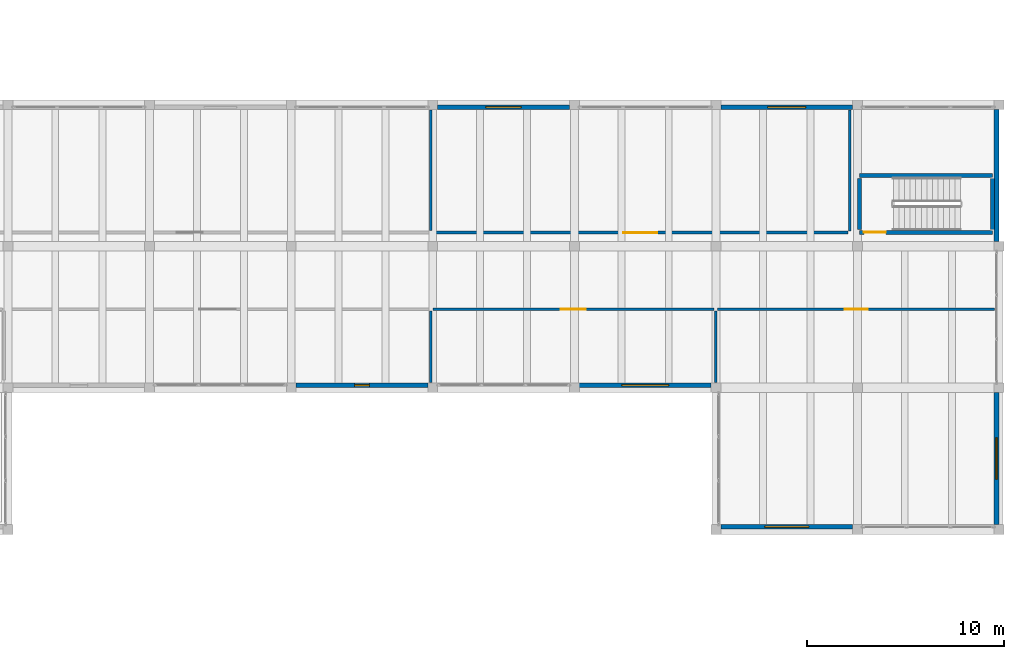
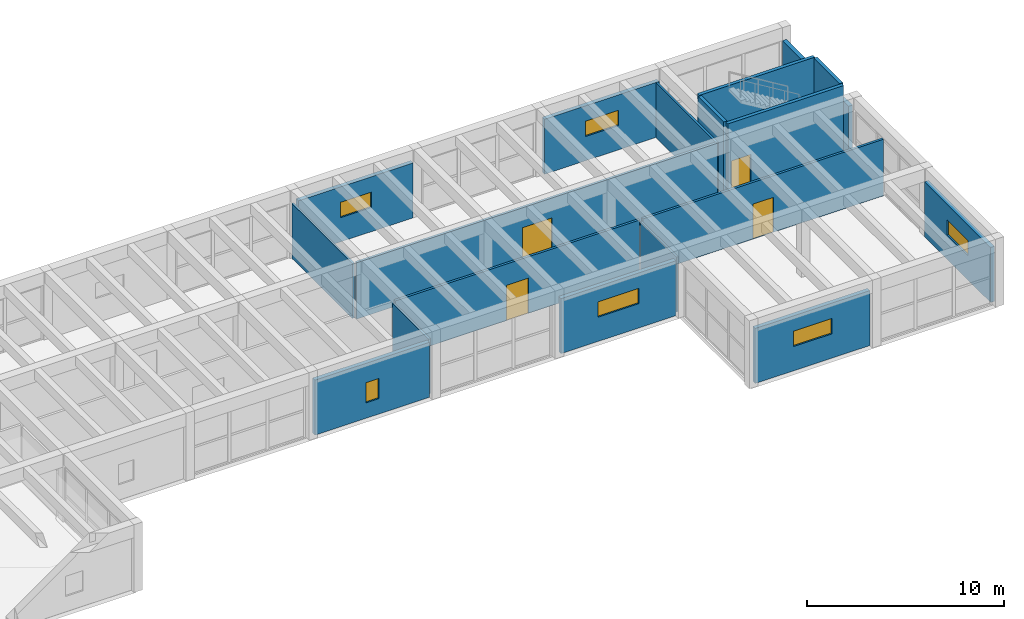
# One storey, part 142 of 153: 18 walls, 6 windows, 4 doors, 10 openings.
"""IFC4 building model written with IfcOpenShell, lengths in metres."""

from ifc_helpers import new_model, si_unit, direction, frame, frame_2d, origin, place, context, subcontext, project, spatial, rectangle, extrude, material, layer, layer_set, type_object, element, fill, save


model = new_model("IFC4")

# Units and contexts
model_context = context("Model", 3, precision=1e-05, world=origin(), true_north=direction((0.0, 1.0)))
body_context = subcontext(model_context, "Body", "Model", "MODEL_VIEW")
ifc_project = project(units=[si_unit("LENGTHUNIT", "METRE"), si_unit("AREAUNIT", "SQUARE_METRE"), si_unit("VOLUMEUNIT", "CUBIC_METRE"), si_unit("PLANEANGLEUNIT", "RADIAN"), si_unit("MASSUNIT", "GRAM", prefix="KILO")], contexts=[model_context])

# Site, building, storey
site_placement = place(None, origin())
site = spatial("IfcSite", under=ifc_project, at=site_placement, CompositionType="ELEMENT")
building_placement = place(site_placement, origin())
building = spatial("IfcBuilding", under=site, at=building_placement, Name="Bramvelor Terrace Health Centre", CompositionType="ELEMENT")
storey_placement = place(building_placement, frame((0.0, 0.0, 4.800048828125)))
storey = spatial("IfcBuildingStorey", under=building, at=storey_placement, Name="L02", CompositionType="ELEMENT", Elevation=4.800048828125)

# Walls
ifc_material_1 = material(Name="Acoustic clinical partition board", Category="gypsum")
ifc_layer_1 = layer(ifc_material_1, 0.110107421875)
ifc_layer_set_1 = layer_set([ifc_layer_1], Name="Acoustic clinical partition board")
wall_type_1 = type_object("IfcWallType", Name="WL-CLN-110", PredefinedType="PARTITIONING", material=ifc_layer_set_1)
wall_1_placement = place(storey_placement, frame((151.18994140625, 54.300048828125, 0.0), z_axis=(0.0, 0.0, 1.0), x_axis=(0.0, -1.0, 0.0)))
element("IfcWall", 1, at=wall_1_placement, inside=storey, type_object=wall_type_1, Name="L02 Interior Partition 177", PredefinedType="PARTITIONING", context=body_context, shape_type="SweptSolid", body=[
    extrude(rectangle(XDim=3.630126953125, YDim=0.110107421875, at=frame_2d((1.81494140625, 0.0))), origin(), (0.0, 0.0, 1.0), 3.39990234375),
])
ifc_material_2 = material(Name="Acoustic clinical partition board", Category="gypsum")
ifc_layer_2 = layer(ifc_material_2, 0.1201171875)
ifc_layer_set_2 = layer_set([ifc_layer_2], Name="Acoustic clinical partition board")
wall_type_2 = type_object("IfcWallType", Name="WL-CLN-120", PredefinedType="PARTITIONING", material=ifc_layer_set_2)
wall_2_placement = place(storey_placement, frame((136.699951171875, 64.530029296875, 0.0), z_axis=(0.0, 0.0, 1.0), x_axis=(0.0, -1.0, 0.0)))
element("IfcWall", 2, at=wall_2_placement, inside=storey, type_object=wall_type_2, Name="L02 Interior Partition 179", PredefinedType="PARTITIONING", context=body_context, shape_type="SweptSolid", body=[
    extrude(rectangle(XDim=6.140869140625, YDim=0.1201171875, at=frame_2d((3.0703125, 0.0))), origin(), (0.0, 0.0, 1.0), 3.39990234375),
])
wall_3_placement = place(storey_placement, frame((158.0, 64.5400390625, 0.0), z_axis=(0.0, 0.0, 1.0), x_axis=(0.0, -1.0, 0.0)))
element("IfcWall", 3, at=wall_3_placement, inside=storey, type_object=wall_type_2, Name="L02 Interior Partition 182", PredefinedType="PARTITIONING", context=body_context, shape_type="SweptSolid", body=[
    extrude(rectangle(XDim=6.15283203125, YDim=0.1201171875, at=frame_2d((3.076416015625, 0.0))), origin(), (0.0, 0.0, 1.0), 3.39990234375),
])
ifc_material_3 = material(Name="Acoustic clinical partition board", Category="gypsum")
ifc_layer_3 = layer(ifc_material_3, 0.1298828125)
ifc_layer_set_3 = layer_set([ifc_layer_3], Name="Acoustic clinical partition board")
wall_type_3 = type_object("IfcWallType", Name="WL-CLN-130", PredefinedType="PARTITIONING", material=ifc_layer_set_3)
wall_4_placement = place(storey_placement, frame((136.699951171875, 54.300048828125, 0.0), z_axis=(0.0, 0.0, 1.0), x_axis=(0.0, -1.0, 0.0)))
element("IfcWall", 4, at=wall_4_placement, inside=storey, type_object=wall_type_3, Name="L02 Interior Partition 175", PredefinedType="PARTITIONING", context=body_context, shape_type="SweptSolid", body=[
    extrude(rectangle(XDim=3.630126953125, YDim=0.1298828125, at=frame_2d((1.81494140625, 0.0))), origin(), (0.0, 0.0, 1.0), 3.39990234375),
])

# Wall, opening, door
ifc_material_4 = material(Name="Fire-rated gypsum and mineral wool", Category="gypsum")
ifc_layer_4 = layer(ifc_material_4, 0.139892578125)
ifc_layer_set_4 = layer_set([ifc_layer_4], Name="Fire-rated gypsum and mineral wool")
wall_type_4 = type_object("IfcWallType", Name="WL-COR-140", PredefinedType="PARTITIONING", material=ifc_layer_set_4)
wall_5_placement = place(storey_placement, frame((136.800048828125, 54.389892578125, 0.0), z_axis=(0.0, 0.0, 1.0), x_axis=(1.0, 0.0, 0.0)))
wall_5 = element("IfcWall", 5, at=wall_5_placement, inside=storey, type_object=wall_type_4, Name="L02 Interior Partition 176", PredefinedType="PARTITIONING", context=body_context, shape_type="SweptSolid", body=[
    extrude(rectangle(XDim=14.300048828125, YDim=0.139892578125, at=frame_2d((7.14990234375, 0.0))), origin(), (0.0, 0.0, 1.0), 3.5),
])
opening_1_placement = place(wall_5_placement, frame((6.510009765625, 0.0, 0.0)))
opening_1 = element("IfcOpeningElement", 6, at=opening_1_placement, cuts=wall_5, Name="Opening FD-01", PredefinedType="OPENING", context=body_context, shape_type="SweptSolid", body=[
    extrude(rectangle(XDim=1.280029296875, YDim=2.179931640625, at=frame_2d((0.64013671875, 1.08984375))), frame((0.0, 0.079833984375, 0.0), z_axis=(0.0, -1.0, 0.0), x_axis=(1.0, 0.0, 0.0)), (0.0, 0.0, 1.0), 0.159912109375),
])
ifc_material_5 = material(Name="Fire-rated steel and vision panel", Category="steel")
door_type_1 = type_object("IfcDoorType", Name="DR-FD90-128", OperationType="NOTDEFINED", PredefinedType="DOOR", material=ifc_material_5)
door_1_placement = place(opening_1_placement, origin())
door_1 = element("IfcDoor", 7, at=door_1_placement, inside=storey, type_object=door_type_1, Name="L02 Dermatology Minor Procedure Suite Fire Door", OperationType="SINGLE_SWING_LEFT", OverallHeight=2.179931640625, OverallWidth=1.280029296875, PredefinedType="DOOR", context=body_context, shape_type="SweptSolid", body=[
    extrude(rectangle(XDim=1.280029296875, YDim=2.179931640625, at=frame_2d((0.64013671875, 1.08984375))), frame((0.0, 0.02490234375, 0.0), z_axis=(0.0, -1.0, 0.0), x_axis=(1.0, 0.0, 0.0)), (0.0, 0.0, 1.0), 0.050048828125),
])
fill(opening_1, door_1)

wall_6_placement = place(storey_placement, frame((151.2900390625, 54.389892578125, 0.0), z_axis=(0.0, 0.0, 1.0), x_axis=(1.0, 0.0, 0.0)))
wall_6 = element("IfcWall", 8, at=wall_6_placement, inside=storey, type_object=wall_type_4, Name="L02 Interior Partition 178", PredefinedType="PARTITIONING", context=body_context, shape_type="SweptSolid", body=[
    extrude(rectangle(XDim=14.080078125, YDim=0.139892578125, at=frame_2d((7.0400390625, 0.0))), origin(), (0.0, 0.0, 1.0), 3.5),
])
opening_2_placement = place(wall_6_placement, frame((6.449951171875, 0.0, 0.0)))
opening_2 = element("IfcOpeningElement", 9, at=opening_2_placement, cuts=wall_6, Name="Opening FD-02", PredefinedType="OPENING", context=body_context, shape_type="SweptSolid", body=[
    extrude(rectangle(XDim=1.179931640625, YDim=2.159912109375, at=frame_2d((0.58984375, 1.080078125))), frame((0.0, 0.079833984375, 0.0), z_axis=(0.0, -1.0, 0.0), x_axis=(1.0, 0.0, 0.0)), (0.0, 0.0, 1.0), 0.159912109375),
])
ifc_material_6 = material(Name="Fire-rated steel and vision panel", Category="steel")
door_type_2 = type_object("IfcDoorType", Name="DR-FD90-118", OperationType="NOTDEFINED", PredefinedType="DOOR", material=ifc_material_6)
door_2_placement = place(opening_2_placement, origin())
door_2 = element("IfcDoor", 10, at=door_2_placement, inside=storey, type_object=door_type_2, Name="L02 Surgical Sterile Instrument Sub-Store Fire Door", OperationType="SINGLE_SWING_RIGHT", OverallHeight=2.159912109375, OverallWidth=1.179931640625, PredefinedType="DOOR", context=body_context, shape_type="SweptSolid", body=[
    extrude(rectangle(XDim=1.179931640625, YDim=2.159912109375, at=frame_2d((0.58984375, 1.080078125))), frame((0.0, 0.02490234375, 0.0), z_axis=(0.0, -1.0, 0.0), x_axis=(1.0, 0.0, 0.0)), (0.0, 0.0, 1.0), 0.050048828125),
])
fill(opening_2, door_2)

wall_7_placement = place(storey_placement, frame((157.909912109375, 58.297119140625, 0.0), z_axis=(0.0, 0.0, 1.0), x_axis=(-0.999999994583, 0.000104087155, 0.0)))
wall_7 = element("IfcWall", 11, at=wall_7_placement, inside=storey, type_object=wall_type_4, Name="L02 Interior Partition 183", PredefinedType="PARTITIONING", context=body_context, shape_type="SweptSolid", body=[
    extrude(rectangle(XDim=21.10986328125, YDim=0.139892578125, at=frame_2d((10.554931640625, 0.0))), origin(), (0.0, 0.0, 1.0), 3.5),
])
opening_3_placement = place(wall_7_placement, frame((9.695068359375, 0.0, 0.0)))
opening_3 = element("IfcOpeningElement", 12, at=opening_3_placement, cuts=wall_7, Name="Opening FD-04", PredefinedType="OPENING", context=body_context, shape_type="SweptSolid", body=[
    extrude(rectangle(XDim=1.719970703125, YDim=2.260009765625, at=frame_2d((0.85986328125, 1.1298828125))), frame((0.0, 0.079833984375, 0.0), z_axis=(0.0, -1.0, 0.0), x_axis=(1.0, 0.0, 0.0)), (0.0, 0.0, 1.0), 0.159912109375),
])
ifc_material_7 = material(Name="Fire-rated steel and vision panel", Category="steel")
door_type_3 = type_object("IfcDoorType", Name="DR-FD90-172", OperationType="DOUBLE_DOOR_SINGLE_SWING", PredefinedType="DOOR", material=ifc_material_7)
door_3_placement = place(opening_3_placement, origin())
door_3 = element("IfcDoor", 13, at=door_3_placement, inside=storey, type_object=door_type_3, Name="L02 Surgical Staff Scrub and Locker Suite Fire Door", OperationType="DOUBLE_DOOR_SINGLE_SWING", OverallHeight=2.260009765625, OverallWidth=1.719970703125, PredefinedType="DOOR", context=body_context, shape_type="SweptSolid", body=[
    extrude(rectangle(XDim=1.719970703125, YDim=2.260009765625, at=frame_2d((0.85986328125, 1.1298828125))), frame((0.0, 0.02490234375, 0.0), z_axis=(0.0, -1.0, 0.0), x_axis=(1.0, 0.0, 0.0)), (0.0, 0.0, 1.0), 0.050048828125),
])
fill(opening_3, door_3)

ifc_material_8 = material(Name="Concrete C40/50", Category="concrete")
ifc_layer_5 = layer(ifc_material_8, 0.199951171875)
ifc_layer_set_5 = layer_set([ifc_layer_5], Name="Concrete C40/50")
wall_type_5 = type_object("IfcWallType", Name="WL-CORE-200", PredefinedType="SHEAR", material=ifc_layer_set_5)
wall_8_placement = place(storey_placement, frame((158.5, 58.300048828125, 0.0), z_axis=(0.0, 0.0, 1.0), x_axis=(1.0, 0.0, 0.0)))
wall_8 = element("IfcWall", 14, at=wall_8_placement, inside=storey, type_object=wall_type_5, Name="ST-7 L02 Stair Shaft Wall", PredefinedType="SHEAR", context=body_context, shape_type="SweptSolid", body=[
    extrude(rectangle(XDim=6.77490234375, YDim=0.199951171875, at=frame_2d((3.387451171875, 0.0))), origin(), (0.0, 0.0, 1.0), 4.5),
])
opening_4_placement = place(wall_8_placement, frame((0.219970703125, 0.0, 0.0)))
opening_4 = element("IfcOpeningElement", 15, at=opening_4_placement, cuts=wall_8, Name="Opening FD-06", PredefinedType="OPENING", context=body_context, shape_type="SweptSolid", body=[
    extrude(rectangle(XDim=1.1201171875, YDim=2.139892578125, at=frame_2d((0.56005859375, 1.06982421875))), frame((0.0, 0.10986328125, 0.0), z_axis=(0.0, -1.0, 0.0), x_axis=(1.0, 0.0, 0.0)), (0.0, 0.0, 1.0), 0.219970703125),
])
ifc_material_9 = material(Name="Fire-rated steel and vision panel", Category="steel")
door_type_4 = type_object("IfcDoorType", Name="DR-FD60-112", OperationType="NOTDEFINED", PredefinedType="DOOR", material=ifc_material_9)
door_4_placement = place(opening_4_placement, origin())
door_4 = element("IfcDoor", 16, at=door_4_placement, inside=storey, type_object=door_type_4, Name="ST-7 L02 Exit Stair Fire Door", OperationType="SINGLE_SWING_LEFT", OverallHeight=2.139892578125, OverallWidth=1.1201171875, PredefinedType="DOOR", context=body_context, shape_type="SweptSolid", body=[
    extrude(rectangle(XDim=1.1201171875, YDim=2.139892578125, at=frame_2d((0.56005859375, 1.06982421875))), frame((0.0, 0.02490234375, 0.0), z_axis=(0.0, -1.0, 0.0), x_axis=(1.0, 0.0, 0.0)), (0.0, 0.0, 1.0), 0.050048828125),
])
fill(opening_4, door_4)

# Walls
wall_9_placement = place(storey_placement, frame((158.5, 61.199951171875, 0.0), z_axis=(0.0, 0.0, 1.0), x_axis=(1.0, 0.0, 0.0)))
element("IfcWall", 17, at=wall_9_placement, inside=storey, type_object=wall_type_5, Name="ST-7 L02 Stair Shaft Wall", PredefinedType="SHEAR", context=body_context, shape_type="SweptSolid", body=[
    extrude(rectangle(XDim=6.77490234375, YDim=0.199951171875, at=frame_2d((3.387451171875, 0.0))), origin(), (0.0, 0.0, 1.0), 4.5),
])
for number, where, z_axis, x_axis, name in (
    (18, (158.5, 58.449951171875, 0.0), (0.0, 0.0, 1.0), (0.0, 1.0, 0.0), "ST-7 L02 Stair Shaft Wall"),
    (19, (165.27490234375, 58.449951171875, 0.0), (0.0, 0.0, 1.0), (0.0, 1.0, 0.0), "ST-7 L02 Stair Shaft Wall"),
):
    element("IfcWall", number, at=place(storey_placement, frame(where, z_axis=z_axis, x_axis=x_axis)), inside=storey, type_object=wall_type_5, Name=name, PredefinedType="SHEAR", context=body_context, shape_type="SweptSolid", body=[
        extrude(rectangle(XDim=2.60009765625, YDim=0.199951171875, at=frame_2d((1.300048828125, 0.0))), origin(), (0.0, 0.0, 1.0), 4.5),
    ])

# Wall, opening, window
ifc_material_10 = material(Name="Precast concrete C40/50", Category="concrete")
ifc_layer_6 = layer(ifc_material_10, 0.239990234375)
ifc_layer_set_6 = layer_set([ifc_layer_6], Name="Precast concrete C40/50")
wall_type_6 = type_object("IfcWallType", Name="WL-EXT-RC240", PredefinedType="SOLIDWALL", material=ifc_layer_set_6)
wall_10_placement = place(storey_placement, frame((137.044921875, 64.669921875, 0.0), z_axis=(0.0, 0.0, 1.0), x_axis=(1.0, 0.0, 0.0)))
wall_10 = element("IfcWall", 20, at=wall_10_placement, inside=storey, type_object=wall_type_6, Name="L02 Exterior Facade Wall 61", PredefinedType="SOLIDWALL", context=body_context, shape_type="SweptSolid", body=[
    extrude(rectangle(XDim=6.7099609375, YDim=0.239990234375, at=frame_2d((3.35498046875, 0.0))), origin(), (0.0, 0.0, 1.0), 3.39990234375),
])
opening_5_placement = place(wall_10_placement, frame((2.455078125, 0.0, 1.5)))
opening_5 = element("IfcOpeningElement", 21, at=opening_5_placement, cuts=wall_10, Name="Opening WN-20", PredefinedType="OPENING", context=body_context, shape_type="SweptSolid", body=[
    extrude(rectangle(XDim=1.800048828125, YDim=0.949951171875, at=frame_2d((0.89990234375, 0.47509765625))), frame((0.0, 0.1298828125, 0.0), z_axis=(0.0, -1.0, 0.0), x_axis=(1.0, 0.0, 0.0)), (0.0, 0.0, 1.0), 0.260009765625),
])
ifc_material_11 = material(Name="Double low-E laminated glass", Category="glass")
window_type_1 = type_object("IfcWindowType", Name="WIN-EXT-20", PartitioningType="SINGLE_PANEL", PredefinedType="WINDOW", material=ifc_material_11)
window_1_placement = place(opening_5_placement, origin())
window_1 = element("IfcWindow", 22, at=window_1_placement, inside=storey, type_object=window_type_1, Name="L02 Scheduled Clinical Window 80", OverallHeight=0.949951171875, OverallWidth=1.800048828125, PartitioningType="SINGLE_PANEL", PredefinedType="WINDOW", context=body_context, shape_type="SweptSolid", body=[
    extrude(rectangle(XDim=1.800048828125, YDim=0.949951171875, at=frame_2d((0.89990234375, 0.47509765625))), frame((0.0, 0.030029296875, 0.0), z_axis=(0.0, -1.0, 0.0), x_axis=(1.0, 0.0, 0.0)), (0.0, 0.0, 1.0), 0.06005859375),
])
fill(opening_5, window_1)

wall_11_placement = place(storey_placement, frame((151.445068359375, 64.669921875, 0.0), z_axis=(0.0, 0.0, 1.0), x_axis=(1.0, 0.0, 0.0)))
wall_11 = element("IfcWall", 23, at=wall_11_placement, inside=storey, type_object=wall_type_6, Name="L02 Exterior Facade Wall 63", PredefinedType="SOLIDWALL", context=body_context, shape_type="SweptSolid", body=[
    extrude(rectangle(XDim=6.7099609375, YDim=0.239990234375, at=frame_2d((3.35498046875, 0.0))), origin(), (0.0, 0.0, 1.0), 3.39990234375),
])
opening_6_placement = place(wall_11_placement, frame((2.3798828125, 0.0, 1.5)))
opening_6 = element("IfcOpeningElement", 24, at=opening_6_placement, cuts=wall_11, Name="Opening WN-21", PredefinedType="OPENING", context=body_context, shape_type="SweptSolid", body=[
    extrude(rectangle(XDim=1.949951171875, YDim=0.949951171875, at=frame_2d((0.97509765625, 0.47509765625))), frame((0.0, 0.1298828125, 0.0), z_axis=(0.0, -1.0, 0.0), x_axis=(1.0, 0.0, 0.0)), (0.0, 0.0, 1.0), 0.260009765625),
])
ifc_material_12 = material(Name="Double low-E laminated glass", Category="glass")
window_type_2 = type_object("IfcWindowType", Name="WIN-EXT-21", PartitioningType="SINGLE_PANEL", PredefinedType="WINDOW", material=ifc_material_12)
window_2_placement = place(opening_6_placement, origin())
window_2 = element("IfcWindow", 25, at=window_2_placement, inside=storey, type_object=window_type_2, Name="L02 Scheduled Clinical Window 81", OverallHeight=0.949951171875, OverallWidth=1.949951171875, PartitioningType="SINGLE_PANEL", PredefinedType="WINDOW", context=body_context, shape_type="SweptSolid", body=[
    extrude(rectangle(XDim=1.949951171875, YDim=0.949951171875, at=frame_2d((0.97509765625, 0.47509765625))), frame((0.0, 0.030029296875, 0.0), z_axis=(0.0, -1.0, 0.0), x_axis=(1.0, 0.0, 0.0)), (0.0, 0.0, 1.0), 0.06005859375),
])
fill(opening_6, window_2)

# Wall
wall_12_placement = place(storey_placement, frame((165.469970703125, 64.554931640625, 0.0), z_axis=(0.0, 0.0, 1.0), x_axis=(0.0, -1.0, 0.0)))
element("IfcWall", 26, at=wall_12_placement, inside=storey, type_object=wall_type_6, Name="L02 Exterior Facade Wall 65", PredefinedType="SOLIDWALL", context=body_context, shape_type="SweptSolid", body=[
    extrude(rectangle(XDim=6.7099609375, YDim=0.239990234375, at=frame_2d((3.35498046875, 0.0))), origin(), (0.0, 0.0, 1.0), 3.39990234375),
])

# Wall, opening, window
wall_13_placement = place(storey_placement, frame((165.469970703125, 50.155029296875, 0.0), z_axis=(0.0, 0.0, 1.0), x_axis=(0.0, -1.0, 0.0)))
wall_13 = element("IfcWall", 27, at=wall_13_placement, inside=storey, type_object=wall_type_6, Name="L02 Exterior Facade Wall 67", PredefinedType="SOLIDWALL", context=body_context, shape_type="SweptSolid", body=[
    extrude(rectangle(XDim=6.7099609375, YDim=0.239990234375, at=frame_2d((3.35498046875, 0.0))), origin(), (0.0, 0.0, 1.0), 3.39990234375),
])
opening_7_placement = place(wall_13_placement, frame((2.304931640625, 0.0, 1.5)))
opening_7 = element("IfcOpeningElement", 28, at=opening_7_placement, cuts=wall_13, Name="Opening WN-22", PredefinedType="OPENING", context=body_context, shape_type="SweptSolid", body=[
    extrude(rectangle(XDim=2.10009765625, YDim=0.949951171875, at=frame_2d((1.050048828125, 0.47509765625))), frame((0.0, 0.1298828125, 0.0), z_axis=(0.0, -1.0, 0.0), x_axis=(1.0, 0.0, 0.0)), (0.0, 0.0, 1.0), 0.260009765625),
])
ifc_material_13 = material(Name="Double low-E laminated glass", Category="glass")
window_type_3 = type_object("IfcWindowType", Name="WIN-EXT-22", PartitioningType="SINGLE_PANEL", PredefinedType="WINDOW", material=ifc_material_13)
window_3_placement = place(opening_7_placement, origin())
window_3 = element("IfcWindow", 29, at=window_3_placement, inside=storey, type_object=window_type_3, Name="L02 Scheduled Clinical Window 82", OverallHeight=0.949951171875, OverallWidth=2.10009765625, PartitioningType="SINGLE_PANEL", PredefinedType="WINDOW", context=body_context, shape_type="SweptSolid", body=[
    extrude(rectangle(XDim=2.10009765625, YDim=0.949951171875, at=frame_2d((1.050048828125, 0.47509765625))), frame((0.0, 0.030029296875, 0.0), z_axis=(0.0, -1.0, 0.0), x_axis=(1.0, 0.0, 0.0)), (0.0, 0.0, 1.0), 0.06005859375),
])
fill(opening_7, window_3)

wall_14_placement = place(storey_placement, frame((158.155029296875, 43.330078125, 0.0), z_axis=(0.0, 0.0, 1.0), x_axis=(-1.0, 0.0, 0.0)))
wall_14 = element("IfcWall", 30, at=wall_14_placement, inside=storey, type_object=wall_type_6, Name="L02 Exterior Facade Wall 69", PredefinedType="SOLIDWALL", context=body_context, shape_type="SweptSolid", body=[
    extrude(rectangle(XDim=6.7099609375, YDim=0.239990234375, at=frame_2d((3.35498046875, 0.0))), origin(), (0.0, 0.0, 1.0), 3.39990234375),
])
opening_8_placement = place(wall_14_placement, frame((2.22998046875, 0.0, 1.5)))
opening_8 = element("IfcOpeningElement", 31, at=opening_8_placement, cuts=wall_14, Name="Opening WN-23", PredefinedType="OPENING", context=body_context, shape_type="SweptSolid", body=[
    extrude(rectangle(XDim=2.25, YDim=0.949951171875, at=frame_2d((1.125, 0.47509765625))), frame((0.0, 0.1298828125, 0.0), z_axis=(0.0, -1.0, 0.0), x_axis=(1.0, 0.0, 0.0)), (0.0, 0.0, 1.0), 0.260009765625),
])
ifc_material_14 = material(Name="Double low-E laminated glass", Category="glass")
window_type_4 = type_object("IfcWindowType", Name="WIN-EXT-23", PartitioningType="SINGLE_PANEL", PredefinedType="WINDOW", material=ifc_material_14)
window_4_placement = place(opening_8_placement, origin())
window_4 = element("IfcWindow", 32, at=window_4_placement, inside=storey, type_object=window_type_4, Name="L02 Scheduled Clinical Window 83", OverallHeight=0.949951171875, OverallWidth=2.25, PartitioningType="SINGLE_PANEL", PredefinedType="WINDOW", context=body_context, shape_type="SweptSolid", body=[
    extrude(rectangle(XDim=2.25, YDim=0.949951171875, at=frame_2d((1.125, 0.47509765625))), frame((0.0, 0.030029296875, 0.0), z_axis=(0.0, -1.0, 0.0), x_axis=(1.0, 0.0, 0.0)), (0.0, 0.0, 1.0), 0.06005859375),
])
fill(opening_8, window_4)

wall_15_placement = place(storey_placement, frame((150.955078125, 50.530029296875, 0.0), z_axis=(0.0, 0.0, 1.0), x_axis=(-1.0, 0.0, 0.0)))
wall_15 = element("IfcWall", 33, at=wall_15_placement, inside=storey, type_object=wall_type_6, Name="L02 Exterior Facade Wall 71", PredefinedType="SOLIDWALL", context=body_context, shape_type="SweptSolid", body=[
    extrude(rectangle(XDim=6.7099609375, YDim=0.239990234375, at=frame_2d((3.35498046875, 0.0))), origin(), (0.0, 0.0, 1.0), 3.39990234375),
])
opening_9_placement = place(wall_15_placement, frame((2.155029296875, 0.0, 1.5)))
opening_9 = element("IfcOpeningElement", 34, at=opening_9_placement, cuts=wall_15, Name="Opening WN-24", PredefinedType="OPENING", context=body_context, shape_type="SweptSolid", body=[
    extrude(rectangle(XDim=2.39990234375, YDim=0.949951171875, at=frame_2d((1.199951171875, 0.47509765625))), frame((0.0, 0.1298828125, 0.0), z_axis=(0.0, -1.0, 0.0), x_axis=(1.0, 0.0, 0.0)), (0.0, 0.0, 1.0), 0.260009765625),
])
ifc_material_15 = material(Name="Double low-E laminated glass", Category="glass")
window_type_5 = type_object("IfcWindowType", Name="WIN-EXT-24", PartitioningType="SINGLE_PANEL", PredefinedType="WINDOW", material=ifc_material_15)
window_5_placement = place(opening_9_placement, origin())
window_5 = element("IfcWindow", 35, at=window_5_placement, inside=storey, type_object=window_type_5, Name="L02 Scheduled Clinical Window 84", OverallHeight=0.949951171875, OverallWidth=2.39990234375, PartitioningType="SINGLE_PANEL", PredefinedType="WINDOW", context=body_context, shape_type="SweptSolid", body=[
    extrude(rectangle(XDim=2.39990234375, YDim=0.949951171875, at=frame_2d((1.199951171875, 0.47509765625))), frame((0.0, 0.030029296875, 0.0), z_axis=(0.0, -1.0, 0.0), x_axis=(1.0, 0.0, 0.0)), (0.0, 0.0, 1.0), 0.06005859375),
])
fill(opening_9, window_5)

wall_16_placement = place(storey_placement, frame((136.554931640625, 50.530029296875, 0.0), z_axis=(0.0, 0.0, 1.0), x_axis=(-1.0, 0.0, 0.0)))
wall_16 = element("IfcWall", 36, at=wall_16_placement, inside=storey, type_object=wall_type_6, Name="L02 Exterior Facade Wall 73", PredefinedType="SOLIDWALL", context=body_context, shape_type="SweptSolid", body=[
    extrude(rectangle(XDim=6.7099609375, YDim=0.239990234375, at=frame_2d((3.35498046875, 0.0))), origin(), (0.0, 0.0, 1.0), 3.39990234375),
])
opening_10_placement = place(wall_16_placement, frame((2.97998046875, 0.0, 0.949951171875)))
opening_10 = element("IfcOpeningElement", 37, at=opening_10_placement, cuts=wall_16, Name="Opening WN-25", PredefinedType="OPENING", context=body_context, shape_type="SweptSolid", body=[
    extrude(rectangle(XDim=0.75, YDim=1.25, at=frame_2d((0.375, 0.625))), frame((0.0, 0.1298828125, 0.0), z_axis=(0.0, -1.0, 0.0), x_axis=(1.0, 0.0, 0.0)), (0.0, 0.0, 1.0), 0.260009765625),
])
ifc_material_16 = material(Name="Double low-E laminated glass", Category="glass")
window_type_6 = type_object("IfcWindowType", Name="WIN-EXT-25", PartitioningType="SINGLE_PANEL", PredefinedType="WINDOW", material=ifc_material_16)
window_6_placement = place(opening_10_placement, origin())
window_6 = element("IfcWindow", 38, at=window_6_placement, inside=storey, type_object=window_type_6, Name="L02 Scheduled Clinical Window 85", OverallHeight=1.25, OverallWidth=0.75, PartitioningType="SINGLE_PANEL", PredefinedType="WINDOW", context=body_context, shape_type="SweptSolid", body=[
    extrude(rectangle(XDim=0.75, YDim=1.25, at=frame_2d((0.375, 0.625))), frame((0.0, 0.030029296875, 0.0), z_axis=(0.0, -1.0, 0.0), x_axis=(1.0, 0.0, 0.0)), (0.0, 0.0, 1.0), 0.06005859375),
])
fill(opening_10, window_6)

save(model, "model.ifc")
